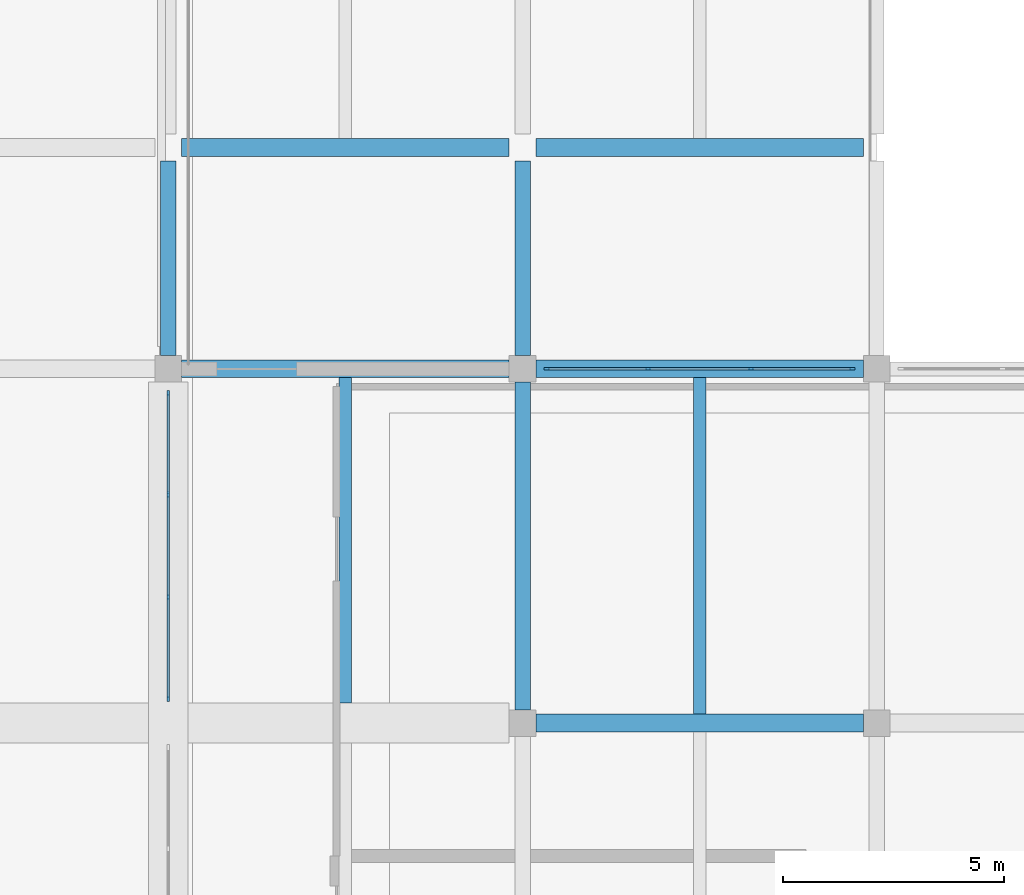
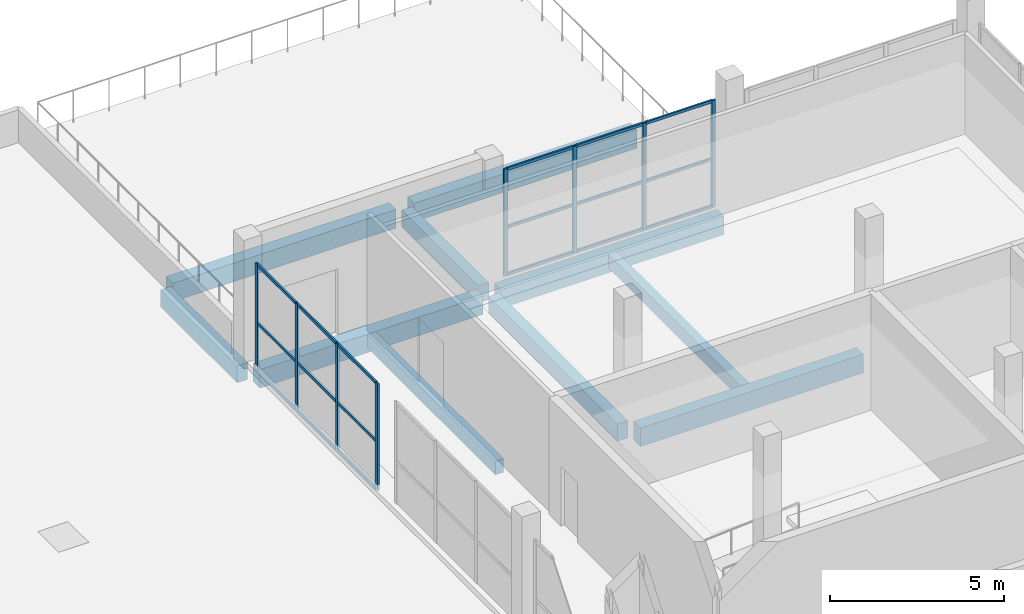
# One storey, part 5 of 14: 26 members, 10 beams, 2 elements without a shape of their own.
"""IFC4 building model written with IfcOpenShell, lengths in metres."""

from ifc_helpers import new_model, si_unit, direction, frame, origin, origin_2d, place, context, subcontext, project, spatial, rectangle, extrude, material, layer, layer_set, material_profile, profile_set, type_object, element, aggregate, save


model = new_model("IFC4")

# Units and contexts
model_context = context("Model", 3, precision=1e-05, world=origin(), true_north=direction((0.0, 1.0)))
body_context = subcontext(model_context, "Body", "Model", "MODEL_VIEW")
ifc_project = project(units=[si_unit("LENGTHUNIT", "METRE"), si_unit("AREAUNIT", "SQUARE_METRE"), si_unit("VOLUMEUNIT", "CUBIC_METRE"), si_unit("PLANEANGLEUNIT", "RADIAN"), si_unit("MASSUNIT", "GRAM", prefix="KILO")], contexts=[model_context])

# Site, building, storey
site_placement = place(None, origin())
site = spatial("IfcSite", under=ifc_project, at=site_placement, CompositionType="ELEMENT")
building_placement = place(site_placement, origin())
building = spatial("IfcBuilding", under=site, at=building_placement, Name="Qorikala Patio Media Centre", CompositionType="ELEMENT")
storey_placement = place(building_placement, frame((0.0, 0.0, 23.39990234375)))
storey = spatial("IfcBuildingStorey", under=building, at=storey_placement, Name="L05", CompositionType="ELEMENT", Elevation=23.39990234375)

# Beams
ifc_material_1 = material(Name="Concrete C35/45", Category="concrete")
ifc_material_profile_1 = material_profile(ifc_material_1, rectangle(XDim=0.35009765625, YDim=0.60009765625, at=origin_2d()), Name="RC 350x600")
ifc_profile_set_1 = profile_set([ifc_material_profile_1], Name="Concrete C35/45")
beam_type_1 = type_object("IfcBeamType", Name="BM-G350X600", PredefinedType="BEAM", material=ifc_profile_set_1)
beam_1_placement = place(storey_placement, frame((19.0, 59.300048828125, -0.599853515625), z_axis=(0.0, 1.0, 0.0), x_axis=(-1.0, 0.0, 0.0)))
element("IfcBeam", 1, at=beam_1_placement, inside=storey, type_object=beam_type_1, Name="L05 Grid X=19 Beam 1580", PredefinedType="BEAM", context=body_context, shape_type="SweptSolid", body=[
    extrude(rectangle(XDim=0.35009765625, YDim=0.60009765625, at=origin_2d()), origin(), (0.0, 0.0, 1.0), 4.39990234375),
])
beam_2_placement = place(storey_placement, frame((27.0, 51.300048828125, -0.599853515625), z_axis=(0.0, 1.0, 0.0), x_axis=(-1.0, 0.0, 0.0)))
element("IfcBeam", 2, at=beam_2_placement, inside=storey, type_object=beam_type_1, Name="L05 Grid X=27 Beam 1588", PredefinedType="BEAM", context=body_context, shape_type="SweptSolid", body=[
    extrude(rectangle(XDim=0.35009765625, YDim=0.60009765625, at=origin_2d()), origin(), (0.0, 0.0, 1.0), 7.39990234375),
])
beam_3_placement = place(storey_placement, frame((27.0, 59.300048828125, -0.599853515625), z_axis=(0.0, 1.0, 0.0), x_axis=(-1.0, 0.0, 0.0)))
element("IfcBeam", 3, at=beam_3_placement, inside=storey, type_object=beam_type_1, Name="L05 Grid X=27 Beam 1589", PredefinedType="BEAM", context=body_context, shape_type="SweptSolid", body=[
    extrude(rectangle(XDim=0.35009765625, YDim=0.60009765625, at=origin_2d()), origin(), (0.0, 0.0, 1.0), 4.39990234375),
])
ifc_material_profile_2 = material_profile(ifc_material_1, rectangle(XDim=0.39990234375, YDim=0.64990234375, at=origin_2d()), Name="RC 400x650")
ifc_profile_set_2 = profile_set([ifc_material_profile_2], Name="Concrete C35/45")
beam_type_2 = type_object("IfcBeamType", Name="BM-G400X650", PredefinedType="BEAM", material=ifc_profile_set_2)
for number, where, z_axis, x_axis, name in (
    (4, (27.300048828125, 51.0, -0.625), (1.0, 0.0, 0.0), (0.0, 1.0, 0.0), "L05 Grid 51 Beam 1543"),
    (5, (19.300048828125, 59.0, -0.625), (1.0, 0.0, 0.0), (0.0, 1.0, 0.0), "L05 Grid 59 Beam 1547"),
    (6, (27.300048828125, 59.0, -0.625), (1.0, 0.0, 0.0), (0.0, 1.0, 0.0), "L05 Grid 59 Beam 1548"),
    (7, (19.300048828125, 64.0, -0.625), (1.0, 0.0, 0.0), (0.0, 1.0, 0.0), "L05 Grid 64 Beam 1552"),
    (8, (27.300048828125, 64.0, -0.625), (1.0, 0.0, 0.0), (0.0, 1.0, 0.0), "L05 Grid 64 Beam 1553"),
):
    element("IfcBeam", number, at=place(storey_placement, frame(where, z_axis=z_axis, x_axis=x_axis)), inside=storey, type_object=beam_type_2, Name=name, PredefinedType="BEAM", context=body_context, shape_type="SweptSolid", body=[
        extrude(rectangle(XDim=0.39990234375, YDim=0.64990234375, at=origin_2d()), origin(), (0.0, 0.0, 1.0), 7.39990234375),
    ])

# Curtain wall, members
ifc_material_2 = material(Name="Bronze Anodised Aluminium and Low-E Glass", Category="aluminium")
ifc_layer = layer(ifc_material_2, 0.159912109375)
ifc_layer_set = layer_set([ifc_layer], Name="Bronze Anodised Aluminium and Low-E Glass")
curtain_wall_type = type_object("IfcCurtainWallType", Name="CW-PAV-696X375", PredefinedType="USERDEFINED", material=ifc_layer_set)
curtain_wall_1_placement = place(storey_placement, origin())
curtain_wall_1 = element("IfcCurtainWall", 9, at=curtain_wall_1_placement, inside=storey, type_object=curtain_wall_type, Name="L05 Courtyard Curtain Wall 094", ObjectType="COURTYARD CURTAIN WALL", PredefinedType="USERDEFINED")
ifc_material_3 = material(Name="Bronze Anodised Aluminium", Category="aluminium")
ifc_material_profile_3 = material_profile(ifc_material_3, rectangle(XDim=0.06005859375, YDim=0.1298828125, at=origin_2d()), Name="ALU MULLION 60x130")
ifc_profile_set_3 = profile_set([ifc_material_profile_3], Name="Bronze Anodised Aluminium")
member_type_1 = type_object("IfcMemberType", Name="CWM-60X130", PredefinedType="MULLION", material=ifc_profile_set_3)
member_1_placement = place(storey_placement, frame((19.0, 51.550048828125, 0.0), z_axis=(0.0, 0.0, 1.0), x_axis=(-1.0, 0.0, 0.0)))
member_1 = element("IfcMember", 10, at=member_1_placement, type_object=member_type_1, Name="CWP696375 mullion 1", PredefinedType="MULLION", context=body_context, shape_type="SweptSolid", body=[
    extrude(rectangle(XDim=0.06005859375, YDim=0.1298828125, at=origin_2d()), origin(), (0.0, 0.0, 1.0), 3.75),
])
member_2_placement = place(storey_placement, frame((19.0, 53.840087890625, 0.0), z_axis=(0.0, 0.0, 1.0), x_axis=(-1.0, 0.0, 0.0)))
member_2 = element("IfcMember", 11, at=member_2_placement, type_object=member_type_1, Name="CWP696375 mullion 2", PredefinedType="MULLION", context=body_context, shape_type="SweptSolid", body=[
    extrude(rectangle(XDim=0.06005859375, YDim=0.1298828125, at=origin_2d()), origin(), (0.0, 0.0, 1.0), 3.75),
])
member_3_placement = place(storey_placement, frame((19.0, 56.159912109375, 0.0), z_axis=(0.0, 0.0, 1.0), x_axis=(-1.0, 0.0, 0.0)))
member_3 = element("IfcMember", 12, at=member_3_placement, type_object=member_type_1, Name="CWP696375 mullion 3", PredefinedType="MULLION", context=body_context, shape_type="SweptSolid", body=[
    extrude(rectangle(XDim=0.06005859375, YDim=0.1298828125, at=origin_2d()), origin(), (0.0, 0.0, 1.0), 3.75),
])
member_4_placement = place(storey_placement, frame((19.0, 58.449951171875, 0.0), z_axis=(0.0, 0.0, 1.0), x_axis=(-1.0, 0.0, 0.0)))
member_4 = element("IfcMember", 13, at=member_4_placement, type_object=member_type_1, Name="CWP696375 mullion 4", PredefinedType="MULLION", context=body_context, shape_type="SweptSolid", body=[
    extrude(rectangle(XDim=0.06005859375, YDim=0.1298828125, at=origin_2d()), origin(), (0.0, 0.0, 1.0), 3.75),
])

curtain_wall_2_placement = place(storey_placement, origin())
curtain_wall_2 = element("IfcCurtainWall", 14, at=curtain_wall_2_placement, inside=storey, type_object=curtain_wall_type, Name="L05 Courtyard Curtain Wall 095", ObjectType="COURTYARD CURTAIN WALL", PredefinedType="USERDEFINED")
member_5_placement = place(storey_placement, frame((27.550048828125, 59.0, 0.0), z_axis=(0.0, 0.0, 1.0), x_axis=(0.0, 1.0, 0.0)))
member_5 = element("IfcMember", 15, at=member_5_placement, type_object=member_type_1, Name="CWP696375 mullion 1", PredefinedType="MULLION", context=body_context, shape_type="SweptSolid", body=[
    extrude(rectangle(XDim=0.06005859375, YDim=0.1298828125, at=origin_2d()), origin(), (0.0, 0.0, 1.0), 3.75),
])
member_6_placement = place(storey_placement, frame((29.840087890625, 59.0, 0.0), z_axis=(0.0, 0.0, 1.0), x_axis=(0.0, 1.0, 0.0)))
member_6 = element("IfcMember", 16, at=member_6_placement, type_object=member_type_1, Name="CWP696375 mullion 2", PredefinedType="MULLION", context=body_context, shape_type="SweptSolid", body=[
    extrude(rectangle(XDim=0.06005859375, YDim=0.1298828125, at=origin_2d()), origin(), (0.0, 0.0, 1.0), 3.75),
])
member_7_placement = place(storey_placement, frame((32.159912109375, 59.0, 0.0), z_axis=(0.0, 0.0, 1.0), x_axis=(0.0, 1.0, 0.0)))
member_7 = element("IfcMember", 17, at=member_7_placement, type_object=member_type_1, Name="CWP696375 mullion 3", PredefinedType="MULLION", context=body_context, shape_type="SweptSolid", body=[
    extrude(rectangle(XDim=0.06005859375, YDim=0.1298828125, at=origin_2d()), origin(), (0.0, 0.0, 1.0), 3.75),
])
member_8_placement = place(storey_placement, frame((34.449951171875, 59.0, 0.0), z_axis=(0.0, 0.0, 1.0), x_axis=(0.0, 1.0, 0.0)))
member_8 = element("IfcMember", 18, at=member_8_placement, type_object=member_type_1, Name="CWP696375 mullion 4", PredefinedType="MULLION", context=body_context, shape_type="SweptSolid", body=[
    extrude(rectangle(XDim=0.06005859375, YDim=0.1298828125, at=origin_2d()), origin(), (0.0, 0.0, 1.0), 3.75),
])

# Member
ifc_material_profile_4 = material_profile(ifc_material_3, rectangle(XDim=0.06005859375, YDim=0.10009765625, at=origin_2d()), Name="ALU TRANSOM 60x100")
ifc_profile_set_4 = profile_set([ifc_material_profile_4], Name="Bronze Anodised Aluminium")
member_type_2 = type_object("IfcMemberType", Name="CWT-60X100", PredefinedType="USERDEFINED", material=ifc_profile_set_4)
member_9_placement = place(storey_placement, frame((19.0, 51.580078125, 0.030029296875), z_axis=(0.0, 1.0, 0.0), x_axis=(-1.0, 0.0, 0.0)))
member_9 = element("IfcMember", 19, at=member_9_placement, type_object=member_type_2, Name="CWP696375 transom 1.1", ObjectType="TRANSOM", PredefinedType="USERDEFINED", context=body_context, shape_type="SweptSolid", body=[
    extrude(rectangle(XDim=0.06005859375, YDim=0.10009765625, at=origin_2d()), origin(), (0.0, 0.0, 1.0), 2.22998046875),
])

member_10_placement = place(storey_placement, frame((19.0, 51.580078125, 1.6875), z_axis=(0.0, 1.0, 0.0), x_axis=(-1.0, 0.0, 0.0)))
member_10 = element("IfcMember", 20, at=member_10_placement, type_object=member_type_2, Name="CWP696375 transom 1.2", ObjectType="TRANSOM", PredefinedType="USERDEFINED", context=body_context, shape_type="SweptSolid", body=[
    extrude(rectangle(XDim=0.06005859375, YDim=0.10009765625, at=origin_2d()), origin(), (0.0, 0.0, 1.0), 2.22998046875),
])

member_11_placement = place(storey_placement, frame((19.0, 51.580078125, 3.72021484375), z_axis=(0.0, 1.0, 0.0), x_axis=(-1.0, 0.0, 0.0)))
member_11 = element("IfcMember", 21, at=member_11_placement, type_object=member_type_2, Name="CWP696375 transom 1.3", ObjectType="TRANSOM", PredefinedType="USERDEFINED", context=body_context, shape_type="SweptSolid", body=[
    extrude(rectangle(XDim=0.06005859375, YDim=0.10009765625, at=origin_2d()), origin(), (0.0, 0.0, 1.0), 2.22998046875),
])

member_12_placement = place(storey_placement, frame((19.0, 53.8701171875, 0.030029296875), z_axis=(0.0, 1.0, 0.0), x_axis=(-1.0, 0.0, 0.0)))
member_12 = element("IfcMember", 22, at=member_12_placement, type_object=member_type_2, Name="CWP696375 transom 2.1", ObjectType="TRANSOM", PredefinedType="USERDEFINED", context=body_context, shape_type="SweptSolid", body=[
    extrude(rectangle(XDim=0.06005859375, YDim=0.10009765625, at=origin_2d()), origin(), (0.0, 0.0, 1.0), 2.259765625),
])

member_13_placement = place(storey_placement, frame((19.0, 53.8701171875, 1.6875), z_axis=(0.0, 1.0, 0.0), x_axis=(-1.0, 0.0, 0.0)))
member_13 = element("IfcMember", 23, at=member_13_placement, type_object=member_type_2, Name="CWP696375 transom 2.2", ObjectType="TRANSOM", PredefinedType="USERDEFINED", context=body_context, shape_type="SweptSolid", body=[
    extrude(rectangle(XDim=0.06005859375, YDim=0.10009765625, at=origin_2d()), origin(), (0.0, 0.0, 1.0), 2.259765625),
])

member_14_placement = place(storey_placement, frame((19.0, 53.8701171875, 3.72021484375), z_axis=(0.0, 1.0, 0.0), x_axis=(-1.0, 0.0, 0.0)))
member_14 = element("IfcMember", 24, at=member_14_placement, type_object=member_type_2, Name="CWP696375 transom 2.3", ObjectType="TRANSOM", PredefinedType="USERDEFINED", context=body_context, shape_type="SweptSolid", body=[
    extrude(rectangle(XDim=0.06005859375, YDim=0.10009765625, at=origin_2d()), origin(), (0.0, 0.0, 1.0), 2.259765625),
])

member_15_placement = place(storey_placement, frame((19.0, 56.18994140625, 0.030029296875), z_axis=(0.0, 1.0, 0.0), x_axis=(-1.0, 0.0, 0.0)))
member_15 = element("IfcMember", 25, at=member_15_placement, type_object=member_type_2, Name="CWP696375 transom 3.1", ObjectType="TRANSOM", PredefinedType="USERDEFINED", context=body_context, shape_type="SweptSolid", body=[
    extrude(rectangle(XDim=0.06005859375, YDim=0.10009765625, at=origin_2d()), origin(), (0.0, 0.0, 1.0), 2.22998046875),
])

member_16_placement = place(storey_placement, frame((19.0, 56.18994140625, 1.6875), z_axis=(0.0, 1.0, 0.0), x_axis=(-1.0, 0.0, 0.0)))
member_16 = element("IfcMember", 26, at=member_16_placement, type_object=member_type_2, Name="CWP696375 transom 3.2", ObjectType="TRANSOM", PredefinedType="USERDEFINED", context=body_context, shape_type="SweptSolid", body=[
    extrude(rectangle(XDim=0.06005859375, YDim=0.10009765625, at=origin_2d()), origin(), (0.0, 0.0, 1.0), 2.22998046875),
])

member_17_placement = place(storey_placement, frame((19.0, 56.18994140625, 3.72021484375), z_axis=(0.0, 1.0, 0.0), x_axis=(-1.0, 0.0, 0.0)))
member_17 = element("IfcMember", 27, at=member_17_placement, type_object=member_type_2, Name="CWP696375 transom 3.3", ObjectType="TRANSOM", PredefinedType="USERDEFINED", context=body_context, shape_type="SweptSolid", body=[
    extrude(rectangle(XDim=0.06005859375, YDim=0.10009765625, at=origin_2d()), origin(), (0.0, 0.0, 1.0), 2.22998046875),
])

aggregate(curtain_wall_1, [member_1, member_2, member_3, member_4, member_9, member_10, member_11, member_12, member_13, member_14, member_15, member_16, member_17])

member_18_placement = place(storey_placement, frame((27.580078125, 59.0, 0.030029296875), z_axis=(1.0, 0.0, 0.0), x_axis=(0.0, 1.0, 0.0)))
member_18 = element("IfcMember", 28, at=member_18_placement, type_object=member_type_2, Name="CWP696375 transom 1.1", ObjectType="TRANSOM", PredefinedType="USERDEFINED", context=body_context, shape_type="SweptSolid", body=[
    extrude(rectangle(XDim=0.06005859375, YDim=0.10009765625, at=origin_2d()), origin(), (0.0, 0.0, 1.0), 2.22998046875),
])

member_19_placement = place(storey_placement, frame((27.580078125, 59.0, 1.6875), z_axis=(1.0, 0.0, 0.0), x_axis=(0.0, 1.0, 0.0)))
member_19 = element("IfcMember", 29, at=member_19_placement, type_object=member_type_2, Name="CWP696375 transom 1.2", ObjectType="TRANSOM", PredefinedType="USERDEFINED", context=body_context, shape_type="SweptSolid", body=[
    extrude(rectangle(XDim=0.06005859375, YDim=0.10009765625, at=origin_2d()), origin(), (0.0, 0.0, 1.0), 2.22998046875),
])

member_20_placement = place(storey_placement, frame((27.580078125, 59.0, 3.72021484375), z_axis=(1.0, 0.0, 0.0), x_axis=(0.0, 1.0, 0.0)))
member_20 = element("IfcMember", 30, at=member_20_placement, type_object=member_type_2, Name="CWP696375 transom 1.3", ObjectType="TRANSOM", PredefinedType="USERDEFINED", context=body_context, shape_type="SweptSolid", body=[
    extrude(rectangle(XDim=0.06005859375, YDim=0.10009765625, at=origin_2d()), origin(), (0.0, 0.0, 1.0), 2.22998046875),
])

member_21_placement = place(storey_placement, frame((29.8701171875, 59.0, 0.030029296875), z_axis=(1.0, 0.0, 0.0), x_axis=(0.0, 1.0, 0.0)))
member_21 = element("IfcMember", 31, at=member_21_placement, type_object=member_type_2, Name="CWP696375 transom 2.1", ObjectType="TRANSOM", PredefinedType="USERDEFINED", context=body_context, shape_type="SweptSolid", body=[
    extrude(rectangle(XDim=0.06005859375, YDim=0.10009765625, at=origin_2d()), origin(), (0.0, 0.0, 1.0), 2.259765625),
])

member_22_placement = place(storey_placement, frame((29.8701171875, 59.0, 1.6875), z_axis=(1.0, 0.0, 0.0), x_axis=(0.0, 1.0, 0.0)))
member_22 = element("IfcMember", 32, at=member_22_placement, type_object=member_type_2, Name="CWP696375 transom 2.2", ObjectType="TRANSOM", PredefinedType="USERDEFINED", context=body_context, shape_type="SweptSolid", body=[
    extrude(rectangle(XDim=0.06005859375, YDim=0.10009765625, at=origin_2d()), origin(), (0.0, 0.0, 1.0), 2.259765625),
])

member_23_placement = place(storey_placement, frame((29.8701171875, 59.0, 3.72021484375), z_axis=(1.0, 0.0, 0.0), x_axis=(0.0, 1.0, 0.0)))
member_23 = element("IfcMember", 33, at=member_23_placement, type_object=member_type_2, Name="CWP696375 transom 2.3", ObjectType="TRANSOM", PredefinedType="USERDEFINED", context=body_context, shape_type="SweptSolid", body=[
    extrude(rectangle(XDim=0.06005859375, YDim=0.10009765625, at=origin_2d()), origin(), (0.0, 0.0, 1.0), 2.259765625),
])

member_24_placement = place(storey_placement, frame((32.18994140625, 59.0, 0.030029296875), z_axis=(1.0, 0.0, 0.0), x_axis=(0.0, 1.0, 0.0)))
member_24 = element("IfcMember", 34, at=member_24_placement, type_object=member_type_2, Name="CWP696375 transom 3.1", ObjectType="TRANSOM", PredefinedType="USERDEFINED", context=body_context, shape_type="SweptSolid", body=[
    extrude(rectangle(XDim=0.06005859375, YDim=0.10009765625, at=origin_2d()), origin(), (0.0, 0.0, 1.0), 2.22998046875),
])

member_25_placement = place(storey_placement, frame((32.18994140625, 59.0, 1.6875), z_axis=(1.0, 0.0, 0.0), x_axis=(0.0, 1.0, 0.0)))
member_25 = element("IfcMember", 35, at=member_25_placement, type_object=member_type_2, Name="CWP696375 transom 3.2", ObjectType="TRANSOM", PredefinedType="USERDEFINED", context=body_context, shape_type="SweptSolid", body=[
    extrude(rectangle(XDim=0.06005859375, YDim=0.10009765625, at=origin_2d()), origin(), (0.0, 0.0, 1.0), 2.22998046875),
])

member_26_placement = place(storey_placement, frame((32.18994140625, 59.0, 3.72021484375), z_axis=(1.0, 0.0, 0.0), x_axis=(0.0, 1.0, 0.0)))
member_26 = element("IfcMember", 36, at=member_26_placement, type_object=member_type_2, Name="CWP696375 transom 3.3", ObjectType="TRANSOM", PredefinedType="USERDEFINED", context=body_context, shape_type="SweptSolid", body=[
    extrude(rectangle(XDim=0.06005859375, YDim=0.10009765625, at=origin_2d()), origin(), (0.0, 0.0, 1.0), 2.22998046875),
])

aggregate(curtain_wall_2, [member_5, member_6, member_7, member_8, member_18, member_19, member_20, member_21, member_22, member_23, member_24, member_25, member_26])

# Beams
ifc_material_profile_5 = material_profile(ifc_material_1, rectangle(XDim=0.280029296875, YDim=0.47998046875, at=origin_2d()), Name="RC 280x480")
ifc_profile_set_5 = profile_set([ifc_material_profile_5], Name="Concrete C35/45")
beam_type_3 = type_object("IfcBeamType", Name="JS-280X480", PredefinedType="JOIST", material=ifc_profile_set_5)
beam_4_placement = place(storey_placement, frame((23.0, 51.449951171875, -0.539794921875), z_axis=(0.0, 1.0, 0.0), x_axis=(-1.0, 0.0, 0.0)))
element("IfcBeam", 37, at=beam_4_placement, inside=storey, type_object=beam_type_3, Name="L05 Secondary Joist 1643", PredefinedType="JOIST", context=body_context, shape_type="SweptSolid", body=[
    extrude(rectangle(XDim=0.280029296875, YDim=0.47998046875, at=origin_2d()), origin(), (0.0, 0.0, 1.0), 7.35009765625),
])
beam_5_placement = place(storey_placement, frame((31.0, 51.199951171875, -0.539794921875), z_axis=(0.0, 1.0, 0.0), x_axis=(-1.0, 0.0, 0.0)))
element("IfcBeam", 38, at=beam_5_placement, inside=storey, type_object=beam_type_3, Name="L05 Secondary Joist 1649", PredefinedType="JOIST", context=body_context, shape_type="SweptSolid", body=[
    extrude(rectangle(XDim=0.280029296875, YDim=0.47998046875, at=origin_2d()), origin(), (0.0, 0.0, 1.0), 7.60009765625),
])

save(model, "model.ifc")
